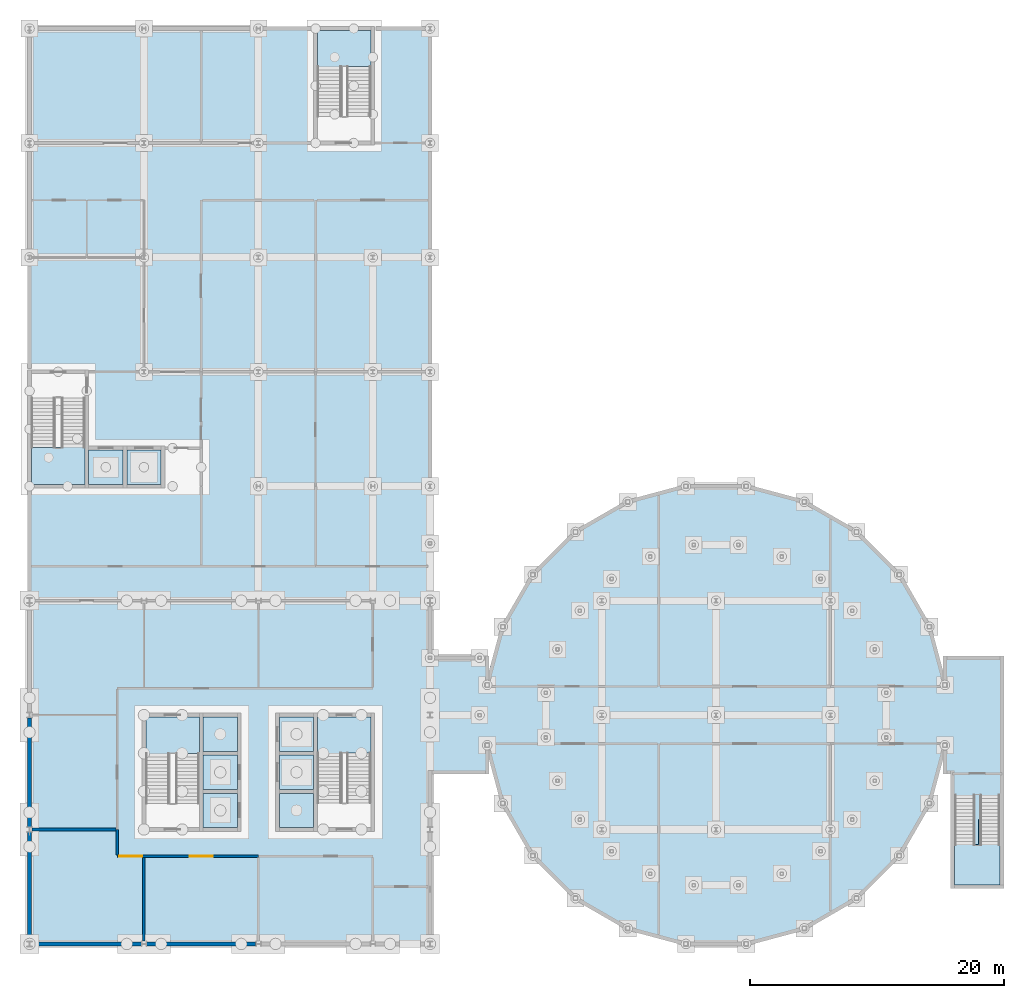
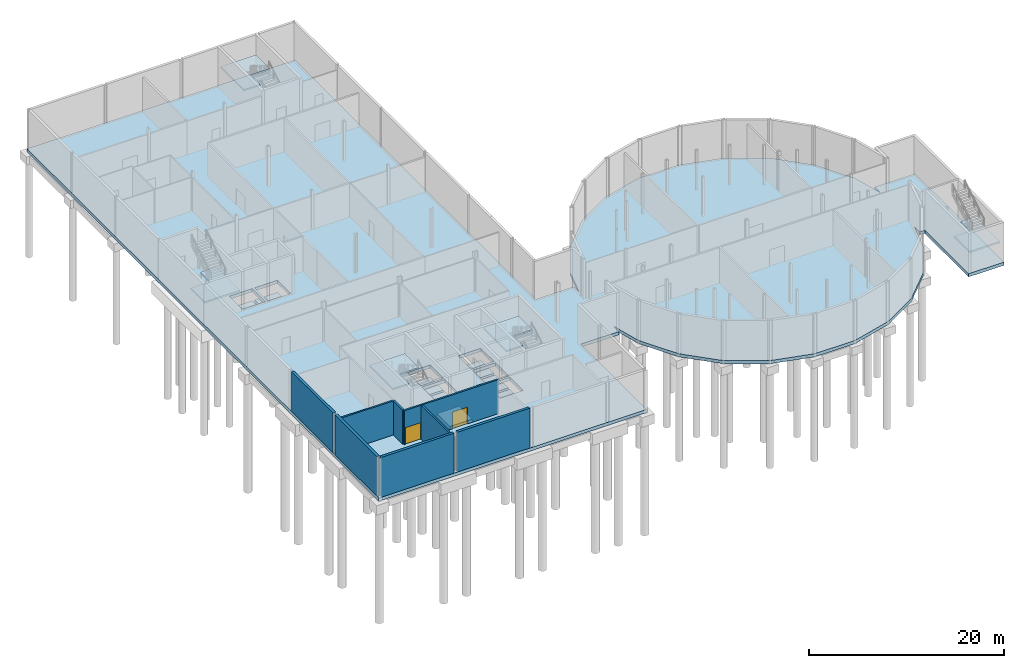
# One storey, part 13 of 25: 14 slabs, 8 walls, 2 doors, 2 openings, 5 elements without a shape of their own.
"""IFC4 building model written with IfcOpenShell, lengths in metres."""

from ifc_helpers import new_model, si_unit, direction, frame, frame_2d, origin, place, context, subcontext, project, spatial, polyline, rectangle, outline, extrude, material, layer, layer_set, type_object, element, fill, aggregate, save


model = new_model("IFC4")

# Units and contexts
model_context = context("Model", 3, precision=1e-05, world=origin(), true_north=direction((0.0, 1.0)))
body_context = subcontext(model_context, "Body", "Model", "MODEL_VIEW")
ifc_project = project(units=[si_unit("LENGTHUNIT", "METRE"), si_unit("AREAUNIT", "SQUARE_METRE"), si_unit("VOLUMEUNIT", "CUBIC_METRE"), si_unit("PLANEANGLEUNIT", "RADIAN"), si_unit("MASSUNIT", "GRAM", prefix="KILO")], contexts=[model_context])

# Site, building, storey
site_placement = place(None, origin())
site = spatial("IfcSite", under=ifc_project, at=site_placement, CompositionType="ELEMENT")
building_placement = place(site_placement, origin())
building = spatial("IfcBuilding", under=site, at=building_placement, Name="Hortulan Conservatory and Botanical Research Centre", CompositionType="ELEMENT")
storey_placement = place(building_placement, frame((0.0, 0.0, -5.0)))
storey = spatial("IfcBuildingStorey", under=building, at=storey_placement, Name="B1", CompositionType="ELEMENT", Elevation=-5.0)

# Slabs
ifc_material_1 = material(Name="Concrete N40 (40 MPa, AS 3600)", Category="concrete")
ifc_layer_1 = layer(ifc_material_1, 0.39990234375)
ifc_layer_set_1 = layer_set([ifc_layer_1], Name="Basement Slab 400")
slab_type_1 = type_object("IfcSlabType", Name="Basement Slab 400", PredefinedType="BASESLAB", material=ifc_layer_set_1)
slab_1_placement = place(storey_placement, frame((0.0, 0.0, -0.39990234375)))
element("IfcSlab", 1, at=slab_1_placement, inside=storey, type_object=slab_type_1, Name="Basement slab", PredefinedType="BASESLAB", context=body_context, shape_type="SweptSolid", body=[
    extrude(outline(polyline([(71.85009765625, 13.35009765625), (72.449951171875, 13.35009765625), (72.449951171875, 4.35009765625), (76.64990234375, 4.35009765625), (76.64990234375, 22.64990234375), (71.85009765625, 22.64990234375), (71.85009765625, 21.509033203125), (70.9130859375, 25.005615234375), (68.523681640625, 29.144287109375), (65.144287109375, 32.523681640625), (61.005615234375, 34.9130859375), (56.389404296875, 36.14990234375), (51.610595703125, 36.14990234375), (46.994384765625, 34.9130859375), (42.855712890625, 32.523681640625), (39.476318359375, 29.144287109375), (37.0869140625, 25.005615234375), (36.14990234375, 21.509033203125), (36.14990234375, 22.64990234375), (31.64990234375, 22.64990234375), (31.64990234375, 72.14990234375), (-0.14990234375, 72.14990234375), (-0.14990234375, -0.14990234375), (31.64990234375, -0.14990234375), (31.64990234375, 13.35009765625), (36.14990234375, 13.35009765625), (36.14990234375, 14.490966796875), (37.0869140625, 10.994384765625), (39.476318359375, 6.855712890625), (42.855712890625, 3.476318359375), (46.994384765625, 1.0869140625), (51.610595703125, -0.14990234375), (56.389404296875, -0.14990234375), (61.005615234375, 1.0869140625), (65.144287109375, 3.476318359375), (68.523681640625, 6.855712890625), (70.9130859375, 10.994384765625), (71.85009765625, 14.490966796875), (71.85009765625, 13.35009765625)]), holes=[polyline([(13.64990234375, 11.85009765625), (13.64990234375, 9.14990234375), (16.35009765625, 9.14990234375), (16.35009765625, 11.85009765625), (13.64990234375, 11.85009765625)]), polyline([(19.64990234375, 11.85009765625), (19.64990234375, 9.14990234375), (22.35009765625, 9.14990234375), (22.35009765625, 11.85009765625), (19.64990234375, 11.85009765625)]), polyline([(13.64990234375, 14.85009765625), (13.64990234375, 12.14990234375), (16.35009765625, 12.14990234375), (16.35009765625, 14.85009765625), (13.64990234375, 14.85009765625)]), polyline([(19.64990234375, 14.85009765625), (19.64990234375, 12.14990234375), (22.35009765625, 12.14990234375), (22.35009765625, 14.85009765625), (19.64990234375, 14.85009765625)]), polyline([(13.64990234375, 17.85009765625), (13.64990234375, 15.14990234375), (16.35009765625, 15.14990234375), (16.35009765625, 17.85009765625), (13.64990234375, 17.85009765625)]), polyline([(19.64990234375, 17.85009765625), (19.64990234375, 15.14990234375), (22.35009765625, 15.14990234375), (22.35009765625, 17.85009765625), (19.64990234375, 17.85009765625)]), polyline([(4.64990234375, 38.85009765625), (4.64990234375, 36.14990234375), (7.35009765625, 36.14990234375), (7.35009765625, 38.85009765625), (4.64990234375, 38.85009765625)]), polyline([(7.64990234375, 38.85009765625), (7.64990234375, 36.14990234375), (10.35009765625, 36.14990234375), (10.35009765625, 38.85009765625), (7.64990234375, 38.85009765625)])]), origin(), (0.0, 0.0, 1.0), 0.39990234375),
])
ifc_layer_2 = layer(ifc_material_1, 0.39990234375)
ifc_layer_set_2 = layer_set([ifc_layer_2], Name="Lift Pit Slab 400")
slab_type_2 = type_object("IfcSlabType", Name="Lift Pit Slab 400", PredefinedType="BASESLAB", material=ifc_layer_set_2)
slab_2_placement = place(storey_placement, frame((0.0, 0.0, -1.89990234375)))
element("IfcSlab", 2, at=slab_2_placement, inside=storey, type_object=slab_type_2, Name="Lift pit slab LP1", PredefinedType="BASESLAB", context=body_context, shape_type="SweptSolid", body=[
    extrude(outline(polyline([(16.35009765625, 9.14990234375), (16.35009765625, 11.85009765625), (13.64990234375, 11.85009765625), (13.64990234375, 9.14990234375), (16.35009765625, 9.14990234375)])), origin(), (0.0, 0.0, 1.0), 0.39990234375),
])
slab_3_placement = place(storey_placement, frame((0.0, 0.0, -1.89990234375)))
element("IfcSlab", 3, at=slab_3_placement, inside=storey, type_object=slab_type_2, Name="Lift pit slab LP2", PredefinedType="BASESLAB", context=body_context, shape_type="SweptSolid", body=[
    extrude(outline(polyline([(16.35009765625, 12.14990234375), (16.35009765625, 14.85009765625), (13.64990234375, 14.85009765625), (13.64990234375, 12.14990234375), (16.35009765625, 12.14990234375)])), origin(), (0.0, 0.0, 1.0), 0.39990234375),
])
slab_4_placement = place(storey_placement, frame((0.0, 0.0, -1.89990234375)))
element("IfcSlab", 4, at=slab_4_placement, inside=storey, type_object=slab_type_2, Name="Lift pit slab LP3", PredefinedType="BASESLAB", context=body_context, shape_type="SweptSolid", body=[
    extrude(outline(polyline([(16.35009765625, 15.14990234375), (16.35009765625, 17.85009765625), (13.64990234375, 17.85009765625), (13.64990234375, 15.14990234375), (16.35009765625, 15.14990234375)])), origin(), (0.0, 0.0, 1.0), 0.39990234375),
])
slab_5_placement = place(storey_placement, frame((0.0, 0.0, -1.89990234375)))
element("IfcSlab", 5, at=slab_5_placement, inside=storey, type_object=slab_type_2, Name="Lift pit slab LP4", PredefinedType="BASESLAB", context=body_context, shape_type="SweptSolid", body=[
    extrude(outline(polyline([(22.35009765625, 9.14990234375), (22.35009765625, 11.85009765625), (19.64990234375, 11.85009765625), (19.64990234375, 9.14990234375), (22.35009765625, 9.14990234375)])), origin(), (0.0, 0.0, 1.0), 0.39990234375),
])
slab_6_placement = place(storey_placement, frame((0.0, 0.0, -1.89990234375)))
element("IfcSlab", 6, at=slab_6_placement, inside=storey, type_object=slab_type_2, Name="Lift pit slab LG1", PredefinedType="BASESLAB", context=body_context, shape_type="SweptSolid", body=[
    extrude(outline(polyline([(22.35009765625, 12.14990234375), (22.35009765625, 14.85009765625), (19.64990234375, 14.85009765625), (19.64990234375, 12.14990234375), (22.35009765625, 12.14990234375)])), origin(), (0.0, 0.0, 1.0), 0.39990234375),
])
slab_7_placement = place(storey_placement, frame((0.0, 0.0, -1.89990234375)))
element("IfcSlab", 7, at=slab_7_placement, inside=storey, type_object=slab_type_2, Name="Lift pit slab LF1", PredefinedType="BASESLAB", context=body_context, shape_type="SweptSolid", body=[
    extrude(outline(polyline([(22.35009765625, 15.14990234375), (22.35009765625, 17.85009765625), (19.64990234375, 17.85009765625), (19.64990234375, 15.14990234375), (22.35009765625, 15.14990234375)])), origin(), (0.0, 0.0, 1.0), 0.39990234375),
])
slab_8_placement = place(storey_placement, frame((0.0, 0.0, -1.89990234375)))
element("IfcSlab", 8, at=slab_8_placement, inside=storey, type_object=slab_type_2, Name="Lift pit slab LV1", PredefinedType="BASESLAB", context=body_context, shape_type="SweptSolid", body=[
    extrude(outline(polyline([(7.35009765625, 36.14990234375), (7.35009765625, 38.85009765625), (4.64990234375, 38.85009765625), (4.64990234375, 36.14990234375), (7.35009765625, 36.14990234375)])), origin(), (0.0, 0.0, 1.0), 0.39990234375),
])
slab_9_placement = place(storey_placement, frame((0.0, 0.0, -1.89990234375)))
element("IfcSlab", 9, at=slab_9_placement, inside=storey, type_object=slab_type_2, Name="Lift pit slab LV2", PredefinedType="BASESLAB", context=body_context, shape_type="SweptSolid", body=[
    extrude(outline(polyline([(10.35009765625, 36.14990234375), (10.35009765625, 38.85009765625), (7.64990234375, 38.85009765625), (7.64990234375, 36.14990234375), (10.35009765625, 36.14990234375)])), origin(), (0.0, 0.0, 1.0), 0.39990234375),
])

# Stair, slab
stair_type_1 = type_object("IfcStairType", Name="Concrete Escape Stair 1900", PredefinedType="HALF_TURN_STAIR", material=ifc_material_1)
stair_1_placement = place(storey_placement, origin())
stair_1 = element("IfcStair", 10, at=stair_1_placement, inside=storey, type_object=stair_type_1, Name="Stair T1 B1", PredefinedType="HALF_TURN_STAIR")
ifc_layer_3 = layer(ifc_material_1, 0.199951171875)
ifc_layer_set_3 = layer_set([ifc_layer_3], Name="Stair Landing 200")
slab_type_3 = type_object("IfcSlabType", Name="Stair Landing 200", PredefinedType="LANDING", material=ifc_layer_set_3)
slab_10_placement = place(storey_placement, frame((0.0, 0.0, 2.300048828125)))
slab_10 = element("IfcSlab", 11, at=slab_10_placement, type_object=slab_type_3, Name="Stair T1 B1 half landing 1", PredefinedType="LANDING", context=body_context, shape_type="SweptSolid", body=[
    extrude(outline(polyline([(13.35009765625, 14.969482421875), (11.050048828125, 14.969482421875), (11.050048828125, 13.010009765625), (9.14990234375, 13.010009765625), (9.14990234375, 14.969482421875), (9.14990234375, 14.969970703125), (9.14990234375, 14.97998046875), (9.14990234375, 17.85009765625), (13.35009765625, 17.85009765625), (13.35009765625, 14.97998046875), (13.35009765625, 14.969970703125), (13.35009765625, 14.969482421875)])), origin(), (0.0, 0.0, 1.0), 0.199951171875),
])
aggregate(stair_1, [slab_10])

stair_type_2 = type_object("IfcStairType", Name="Concrete Escape Stair 1950", PredefinedType="HALF_TURN_STAIR", material=ifc_material_1)
stair_2_placement = place(storey_placement, origin())
stair_2 = element("IfcStair", 12, at=stair_2_placement, inside=storey, type_object=stair_type_2, Name="Stair T2 B1", PredefinedType="HALF_TURN_STAIR")
slab_11_placement = place(storey_placement, frame((0.0, 0.0, 2.300048828125)))
slab_11 = element("IfcSlab", 13, at=slab_11_placement, type_object=slab_type_3, Name="Stair T2 B1 half landing 1", PredefinedType="LANDING", context=body_context, shape_type="SweptSolid", body=[
    extrude(outline(polyline([(26.85009765625, 15.01953125), (24.60009765625, 15.01953125), (24.60009765625, 13.06005859375), (22.64990234375, 13.06005859375), (22.64990234375, 15.01953125), (22.64990234375, 15.02001953125), (22.64990234375, 15.030029296875), (22.64990234375, 17.85009765625), (26.85009765625, 17.85009765625), (26.85009765625, 15.030029296875), (26.85009765625, 15.02001953125), (26.85009765625, 15.01953125)])), origin(), (0.0, 0.0, 1.0), 0.199951171875),
])
aggregate(stair_2, [slab_11])

stair_3_placement = place(storey_placement, origin())
stair_3 = element("IfcStair", 14, at=stair_3_placement, inside=storey, type_object=stair_type_1, Name="Stair V1 B1", PredefinedType="HALF_TURN_STAIR")
slab_12_placement = place(storey_placement, frame((0.0, 0.0, 2.300048828125)))
slab_12 = element("IfcSlab", 15, at=slab_12_placement, type_object=slab_type_3, Name="Stair V1 B1 half landing 1", PredefinedType="LANDING", context=body_context, shape_type="SweptSolid", body=[
    extrude(outline(polyline([(0.14990234375, 39.030517578125), (2.449951171875, 39.030517578125), (2.449951171875, 40.989990234375), (4.35009765625, 40.989990234375), (4.35009765625, 39.030517578125), (4.35009765625, 39.030029296875), (4.35009765625, 39.02001953125), (4.35009765625, 36.14990234375), (0.14990234375, 36.14990234375), (0.14990234375, 39.02001953125), (0.14990234375, 39.030029296875), (0.14990234375, 39.030517578125)])), origin(), (0.0, 0.0, 1.0), 0.199951171875),
])
aggregate(stair_3, [slab_12])

stair_4_placement = place(storey_placement, origin())
stair_4 = element("IfcStair", 16, at=stair_4_placement, inside=storey, type_object=stair_type_2, Name="Stair V2 B1", PredefinedType="HALF_TURN_STAIR")
slab_13_placement = place(storey_placement, frame((0.0, 0.0, 2.300048828125)))
slab_13 = element("IfcSlab", 17, at=slab_13_placement, type_object=slab_type_3, Name="Stair V2 B1 half landing 1", PredefinedType="LANDING", context=body_context, shape_type="SweptSolid", body=[
    extrude(outline(polyline([(26.85009765625, 69.01953125), (24.60009765625, 69.01953125), (24.60009765625, 67.06005859375), (22.64990234375, 67.06005859375), (22.64990234375, 69.01953125), (22.64990234375, 69.02001953125), (22.64990234375, 69.030029296875), (22.64990234375, 71.85009765625), (26.85009765625, 71.85009765625), (26.85009765625, 69.030029296875), (26.85009765625, 69.02001953125), (26.85009765625, 69.01953125)])), origin(), (0.0, 0.0, 1.0), 0.199951171875),
])
aggregate(stair_4, [slab_13])

stair_type_3 = type_object("IfcStairType", Name="Concrete Escape Stair 1600", PredefinedType="HALF_TURN_STAIR", material=ifc_material_1)
stair_5_placement = place(storey_placement, origin())
stair_5 = element("IfcStair", 18, at=stair_5_placement, inside=storey, type_object=stair_type_3, Name="Stair SHE B1", PredefinedType="HALF_TURN_STAIR")
slab_14_placement = place(storey_placement, frame((0.0, 0.0, 2.300048828125)))
slab_14 = element("IfcSlab", 19, at=slab_14_placement, type_object=slab_type_3, Name="Stair SHE B1 half landing 1", PredefinedType="LANDING", context=body_context, shape_type="SweptSolid", body=[
    extrude(outline(polyline([(74.64990234375, 9.7900390625), (76.35009765625, 9.7900390625), (76.35009765625, 4.64990234375), (72.75, 4.64990234375), (72.75, 7.83056640625), (74.64990234375, 7.83056640625), (74.64990234375, 9.7900390625)])), origin(), (0.0, 0.0, 1.0), 0.199951171875),
])
aggregate(stair_5, [slab_14])

# Walls
ifc_layer_4 = layer(ifc_material_1, 0.300048828125)
ifc_layer_set_4 = layer_set([ifc_layer_4], Name="Basement Wall 300 N40 FRL 240/240/240")
wall_type_1 = type_object("IfcWallType", Name="Basement Wall 300 N40 FRL 240/240/240", PredefinedType="SOLIDWALL", material=ifc_layer_set_4)
wall_1_placement = place(storey_placement, frame((17.7890625, 0.0, 0.0), z_axis=(0.0, 0.0, 1.0), x_axis=(-1.0, 0.0, 0.0)))
element("IfcWall", 20, at=wall_1_placement, inside=storey, type_object=wall_type_1, Name="Basement retaining wall", PredefinedType="SOLIDWALL", context=body_context, shape_type="SweptSolid", body=[
    extrude(rectangle(XDim=8.578125, YDim=0.300048828125, at=frame_2d((4.2890625, 0.0))), origin(), (0.0, 0.0, 1.0), 5.0),
])
wall_2_placement = place(storey_placement, frame((8.7890625, 0.0, 0.0), z_axis=(0.0, 0.0, 1.0), x_axis=(-1.0, 0.0, 0.0)))
element("IfcWall", 21, at=wall_2_placement, inside=storey, type_object=wall_type_1, Name="Basement retaining wall", PredefinedType="SOLIDWALL", context=body_context, shape_type="SweptSolid", body=[
    extrude(rectangle(XDim=8.589111328125, YDim=0.300048828125, at=frame_2d((4.29443359375, 0.0))), origin(), (0.0, 0.0, 1.0), 5.0),
])
for number, where, z_axis, x_axis, name in (
    (22, (0.0, 0.2109375, 0.0), (0.0, 0.0, 1.0), (0.0, 1.0, 0.0), "Basement retaining wall"),
    (23, (0.0, 9.2109375, 0.0), (0.0, 0.0, 1.0), (0.0, 1.0, 0.0), "Basement retaining wall"),
):
    element("IfcWall", number, at=place(storey_placement, frame(where, z_axis=z_axis, x_axis=x_axis)), inside=storey, type_object=wall_type_1, Name=name, PredefinedType="SOLIDWALL", context=body_context, shape_type="SweptSolid", body=[
        extrude(rectangle(XDim=8.578125, YDim=0.300048828125, at=frame_2d((4.2890625, 0.0))), origin(), (0.0, 0.0, 1.0), 5.0),
    ])
ifc_material_2 = material(Name="Fire-rated plasterboard on steel studs", Category="steel")
ifc_layer_5 = layer(ifc_material_2, 0.199951171875)
ifc_layer_set_5 = layer_set([ifc_layer_5], Name="Compartment Partition 200")
wall_type_2 = type_object("IfcWallType", Name="Compartment Partition 200", PredefinedType="PARTITIONING", material=ifc_layer_set_5)
wall_3_placement = place(storey_placement, frame((6.89990234375, 7.010009765625, 0.0), z_axis=(0.0, 0.0, 1.0), x_axis=(0.0, 1.0, 0.0)))
element("IfcWall", 24, at=wall_3_placement, inside=storey, type_object=wall_type_2, Name="Plant room wall", PredefinedType="PARTITIONING", context=body_context, shape_type="SweptSolid", body=[
    extrude(rectangle(XDim=1.97998046875, YDim=0.199951171875, at=frame_2d((0.989990234375, 0.0))), origin(), (0.0, 0.0, 1.0), 4.26708984375),
])
wall_4_placement = place(storey_placement, frame((9.0, 0.220947265625, 0.0), z_axis=(0.0, 0.0, 1.0), x_axis=(0.0, 1.0, 0.0)))
element("IfcWall", 25, at=wall_4_placement, inside=storey, type_object=wall_type_2, Name="Plant room wall", PredefinedType="PARTITIONING", context=body_context, shape_type="SweptSolid", body=[
    extrude(rectangle(XDim=6.569091796875, YDim=0.199951171875, at=frame_2d((3.28466796875, 0.0))), origin(), (0.0, 0.0, 1.0), 4.26708984375),
])

# Wall, openings, doors
wall_5_placement = place(storey_placement, frame((6.89990234375, 6.89990234375, 0.0), z_axis=(0.0, 0.0, 1.0), x_axis=(1.0, 0.0, 0.0)))
wall_5 = element("IfcWall", 26, at=wall_5_placement, inside=storey, type_object=wall_type_2, Name="Plant room wall", PredefinedType="PARTITIONING", context=body_context, shape_type="SweptSolid", body=[
    extrude(rectangle(XDim=11.10009765625, YDim=0.199951171875, at=frame_2d((5.550048828125, 0.0))), origin(), (0.0, 0.0, 1.0), 4.26708984375),
])
opening_1_placement = place(wall_5_placement, frame((0.14990234375, 0.0, 0.0)))
opening_1 = element("IfcOpeningElement", 27, at=opening_1_placement, cuts=wall_5, Name="Opening DT7", PredefinedType="OPENING", context=body_context, shape_type="SweptSolid", body=[
    extrude(rectangle(XDim=1.800048828125, YDim=2.10009765625, at=frame_2d((0.89990234375, 1.050048828125))), frame((0.0, 0.10986328125, 0.0), z_axis=(0.0, -1.0, 0.0), x_axis=(1.0, 0.0, 0.0)), (0.0, 0.0, 1.0), 0.219970703125),
])
opening_2_placement = place(wall_5_placement, frame((5.699951171875, 0.0, 0.0)))
opening_2 = element("IfcOpeningElement", 28, at=opening_2_placement, cuts=wall_5, Name="Opening DT7", PredefinedType="OPENING", context=body_context, shape_type="SweptSolid", body=[
    extrude(rectangle(XDim=1.800048828125, YDim=2.10009765625, at=frame_2d((0.89990234375, 1.050048828125))), frame((0.0, 0.10986328125, 0.0), z_axis=(0.0, -1.0, 0.0), x_axis=(1.0, 0.0, 0.0)), (0.0, 0.0, 1.0), 0.219970703125),
])
ifc_material_3 = material(Name="Steel door leaf, insulated", Category="steel")
door_type = type_object("IfcDoorType", Name="Plant Room Double Door 1800x2100 FRL -/120/30", OperationType="DOUBLE_DOOR_SINGLE_SWING", PredefinedType="DOOR", material=ifc_material_3)
door_1_placement = place(opening_1_placement, frame((1.800048828125, 0.0, 0.0), z_axis=(0.0, 0.0, 1.0), x_axis=(-1.0, 0.0, 0.0)))
door_1 = element("IfcDoor", 29, at=door_1_placement, inside=storey, type_object=door_type, Name="Door DT7 Tower Switchgear Hall", OperationType="DOUBLE_DOOR_SINGLE_SWING", OverallHeight=2.10009765625, OverallWidth=1.800048828125, PredefinedType="DOOR", context=body_context, shape_type="SweptSolid", body=[
    extrude(rectangle(XDim=1.800048828125, YDim=2.10009765625, at=frame_2d((0.89990234375, 1.050048828125))), frame((0.0, 0.02490234375, 0.0), z_axis=(0.0, -1.0, 0.0), x_axis=(1.0, 0.0, 0.0)), (0.0, 0.0, 1.0), 0.050048828125),
])
fill(opening_1, door_1)
door_2_placement = place(opening_2_placement, frame((1.800048828125, 0.0, 0.0), z_axis=(0.0, 0.0, 1.0), x_axis=(-1.0, 0.0, 0.0)))
door_2 = element("IfcDoor", 30, at=door_2_placement, inside=storey, type_object=door_type, Name="Door DT7 Tower Mechanical Hall", OperationType="DOUBLE_DOOR_SINGLE_SWING", OverallHeight=2.10009765625, OverallWidth=1.800048828125, PredefinedType="DOOR", context=body_context, shape_type="SweptSolid", body=[
    extrude(rectangle(XDim=1.800048828125, YDim=2.10009765625, at=frame_2d((0.89990234375, 1.050048828125))), frame((0.0, 0.02490234375, 0.0), z_axis=(0.0, -1.0, 0.0), x_axis=(1.0, 0.0, 0.0)), (0.0, 0.0, 1.0), 0.050048828125),
])
fill(opening_2, door_2)

# Wall
wall_6_placement = place(storey_placement, frame((0.2099609375, 9.0, 0.0), z_axis=(0.0, 0.0, 1.0), x_axis=(1.0, 0.0, 0.0)))
element("IfcWall", 31, at=wall_6_placement, inside=storey, type_object=wall_type_2, Name="Plant room wall", PredefinedType="PARTITIONING", context=body_context, shape_type="SweptSolid", body=[
    extrude(rectangle(XDim=6.60498046875, YDim=0.199951171875, at=frame_2d((3.302490234375, 0.0))), origin(), (0.0, 0.0, 1.0), 4.26708984375),
])

save(model, "model.ifc")
